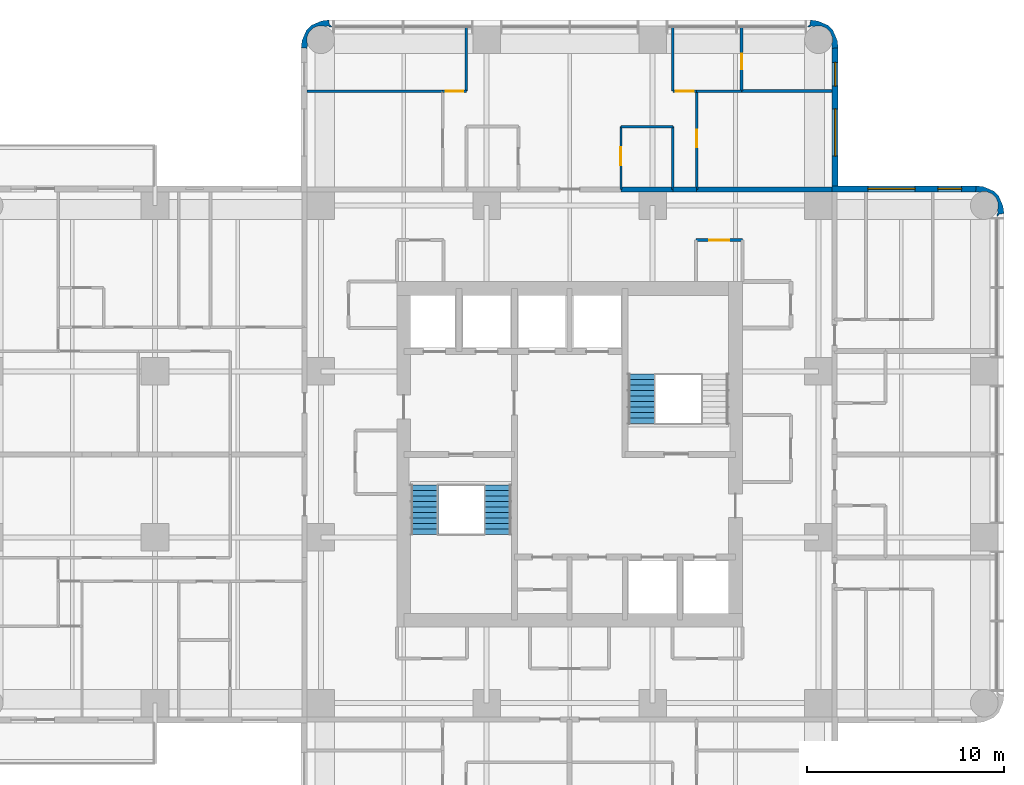
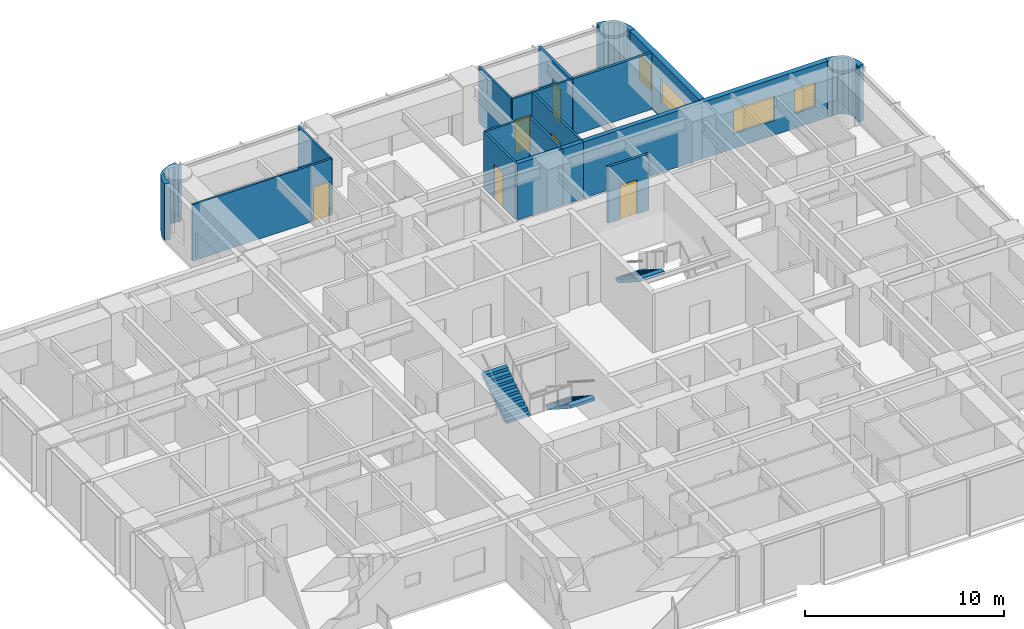
# One storey, part 10 of 12: 21 walls, 6 doors, 4 windows, 3 stair flights, 10 openings, 2 elements without a shape of their own.
"""IFC4 building model written with IfcOpenShell, lengths in metres."""

from ifc_helpers import new_model, si_unit, direction, frame, frame_2d, origin, place, context, subcontext, project, spatial, polyline, rectangle, outline, extrude, material, layer, layer_set, type_object, element, fill, aggregate, save


model = new_model("IFC4")

# Units and contexts
model_context = context("Model", 3, precision=1e-05, world=origin(), true_north=direction((0.0, 1.0)))
body_context = subcontext(model_context, "Body", "Model", "MODEL_VIEW")
ifc_project = project(units=[si_unit("LENGTHUNIT", "METRE"), si_unit("AREAUNIT", "SQUARE_METRE"), si_unit("VOLUMEUNIT", "CUBIC_METRE"), si_unit("PLANEANGLEUNIT", "RADIAN"), si_unit("MASSUNIT", "GRAM", prefix="KILO")], contexts=[model_context])

# Site, building, storey
site_placement = place(None, origin())
site = spatial("IfcSite", under=ifc_project, at=site_placement, CompositionType="ELEMENT")
building_placement = place(site_placement, origin())
building = spatial("IfcBuilding", under=site, at=building_placement, Name="Torre Alcanfor", CompositionType="ELEMENT")
storey_placement = place(building_placement, frame((0.0, 0.0, 226.5)))
storey = spatial("IfcBuildingStorey", under=building, at=storey_placement, Name="L59", CompositionType="ELEMENT", Elevation=226.5)

# Walls
ifc_material_1 = material(Name="Concrete block masonry, hollow blocks NMX-C-404 9 MPa", Category="masonry")
ifc_layer_1 = layer(ifc_material_1, 0.25)
ifc_layer_set_1 = layer_set([ifc_layer_1], Name="Apartment entrance wall 250 EI 60")
wall_type_1 = type_object("IfcWallType", Name="Apartment entrance wall 250 EI 60", PredefinedType="PARTITIONING", material=ifc_layer_set_1)
wall_1_placement = place(storey_placement, frame((32.0, 42.824951171875, 0.0), z_axis=(0.0, 0.0, 1.0), x_axis=(1.0, 0.0, 0.0)))
element("IfcWall", 1, at=wall_1_placement, inside=storey, type_object=wall_type_1, Name="Partition L59-CORR / L59-NX-KITCHEN", PredefinedType="PARTITIONING", context=body_context, shape_type="SweptSolid", body=[
    extrude(rectangle(XDim=2.62890625, YDim=0.25, at=frame_2d((1.314453125, 0.0))), origin(), (0.0, 0.0, 1.0), 3.449951171875),
])
wall_2_placement = place(storey_placement, frame((34.62890625, 42.824951171875, 0.0), z_axis=(0.0, 0.0, 1.0), x_axis=(1.0, 0.0, 0.0)))
element("IfcWall", 2, at=wall_2_placement, inside=storey, type_object=wall_type_1, Name="Partition L59-CORR / L59-NX-LIVING", PredefinedType="PARTITIONING", context=body_context, shape_type="SweptSolid", body=[
    extrude(rectangle(XDim=1.2001953125, YDim=0.25, at=frame_2d((0.60009765625, 0.0))), origin(), (0.0, 0.0, 1.0), 3.449951171875),
])
wall_3_placement = place(storey_placement, frame((35.8291015625, 42.824951171875, 0.0), z_axis=(0.0, 0.0, 1.0), x_axis=(1.0, 0.0, 0.0)))
element("IfcWall", 3, at=wall_3_placement, inside=storey, type_object=wall_type_1, Name="Partition L59-CORR / L59-NX-BED3", PredefinedType="PARTITIONING", context=body_context, shape_type="SweptSolid", body=[
    extrude(rectangle(XDim=6.870849609375, YDim=0.25, at=frame_2d((3.435546875, 0.0))), origin(), (0.0, 0.0, 1.0), 3.449951171875),
])

# Wall, opening, door
ifc_material_2 = material(Name="Gypsum board on steel studs", Category="steel")
ifc_layer_2 = layer(ifc_material_2, 0.1201171875)
ifc_layer_set_2 = layer_set([ifc_layer_2], Name="Apartment partition 120")
wall_type_2 = type_object("IfcWallType", Name="Apartment partition 120", PredefinedType="PARTITIONING", material=ifc_layer_set_2)
wall_4_placement = place(storey_placement, frame((32.0, 42.824951171875, 0.0), z_axis=(0.0, 0.0, 1.0), x_axis=(0.0, 1.0, 0.0)))
wall_4 = element("IfcWall", 4, at=wall_4_placement, inside=storey, type_object=wall_type_2, Name="Partition L59-NX-ZAG / L59-NX-KITCHEN", PredefinedType="PARTITIONING", context=body_context, shape_type="SweptSolid", body=[
    extrude(rectangle(XDim=3.175048828125, YDim=0.1201171875, at=frame_2d((1.58740234375, 0.0))), origin(), (0.0, 0.0, 1.0), 3.449951171875),
])
opening_1_placement = place(wall_4_placement, frame((1.22509765625, 0.0, 0.0)))
opening_1 = element("IfcOpeningElement", 5, at=opening_1_placement, cuts=wall_4, Name="Opening D-R1", PredefinedType="OPENING", context=body_context, shape_type="SweptSolid", body=[
    extrude(rectangle(XDim=0.89990234375, YDim=2.10009765625, at=frame_2d((0.449951171875, 1.050048828125))), frame((0.0, 0.070068359375, 0.0), z_axis=(0.0, -1.0, 0.0), x_axis=(1.0, 0.0, 0.0)), (0.0, 0.0, 1.0), 0.14013671875),
])
ifc_material_3 = material(Name="Timber", Category="wood")
door_type_1 = type_object("IfcDoorType", Name="Internal door 900x2100", OperationType="SINGLE_SWING_LEFT", PredefinedType="DOOR", material=ifc_material_3)
door_1_placement = place(opening_1_placement, frame((0.89990234375, 0.0, 0.0), z_axis=(0.0, 0.0, 1.0), x_axis=(-1.0, 0.0, 0.0)))
door_1 = element("IfcDoor", 6, at=door_1_placement, inside=storey, type_object=door_type_1, Name="Door L59-NX kitchen", OperationType="SINGLE_SWING_LEFT", OverallHeight=2.10009765625, OverallWidth=0.89990234375, PredefinedType="DOOR", context=body_context, shape_type="SweptSolid", body=[
    extrude(rectangle(XDim=0.89990234375, YDim=2.10009765625, at=frame_2d((0.449951171875, 1.050048828125))), frame((0.0, 0.025146484375, 0.0), z_axis=(0.0, -1.0, 0.0), x_axis=(1.0, 0.0, 0.0)), (0.0, 0.0, 1.0), 0.050048828125),
])
fill(opening_1, door_1)

# Walls
wall_5_placement = place(storey_placement, frame((34.62890625, 42.824951171875, 0.0), z_axis=(0.0, 0.0, 1.0), x_axis=(0.0, 1.0, 0.0)))
element("IfcWall", 7, at=wall_5_placement, inside=storey, type_object=wall_type_2, Name="Partition L59-NX-KITCHEN / L59-NX-LIVING", PredefinedType="PARTITIONING", context=body_context, shape_type="SweptSolid", body=[
    extrude(rectangle(XDim=3.175048828125, YDim=0.1201171875, at=frame_2d((1.58740234375, 0.0))), origin(), (0.0, 0.0, 1.0), 3.449951171875),
])
wall_6_placement = place(storey_placement, frame((34.62890625, 46.0, 0.0), z_axis=(0.0, 0.0, 1.0), x_axis=(-1.0, 0.0, 0.0)))
element("IfcWall", 8, at=wall_6_placement, inside=storey, type_object=wall_type_2, Name="Partition L59-NX-KITCHEN / L59-NX-LIVING", PredefinedType="PARTITIONING", context=body_context, shape_type="SweptSolid", body=[
    extrude(rectangle(XDim=2.62890625, YDim=0.1201171875, at=frame_2d((1.314453125, 0.0))), origin(), (0.0, 0.0, 1.0), 3.449951171875),
])

# Wall, opening, door
wall_7_placement = place(storey_placement, frame((22.970947265625, 47.800048828125, 0.0), z_axis=(0.0, 0.0, 1.0), x_axis=(1.0, 0.0, 0.0)))
wall_7 = element("IfcWall", 9, at=wall_7_placement, inside=storey, type_object=wall_type_2, Name="Partition L59-NX-LIVING / L59-NX-MASTER", PredefinedType="PARTITIONING", context=body_context, shape_type="SweptSolid", body=[
    extrude(rectangle(XDim=1.199951171875, YDim=0.1201171875, at=frame_2d((0.60009765625, 0.0))), origin(), (0.0, 0.0, 1.0), 3.449951171875),
])
opening_2_placement = place(wall_7_placement, frame((0.14892578125, 0.0, 0.0)))
opening_2 = element("IfcOpeningElement", 10, at=opening_2_placement, cuts=wall_7, Name="Opening D-R1", PredefinedType="OPENING", context=body_context, shape_type="SweptSolid", body=[
    extrude(rectangle(XDim=0.89990234375, YDim=2.10009765625, at=frame_2d((0.449951171875, 1.050048828125))), frame((0.0, 0.070068359375, 0.0), z_axis=(0.0, -1.0, 0.0), x_axis=(1.0, 0.0, 0.0)), (0.0, 0.0, 1.0), 0.14013671875),
])
door_2_placement = place(opening_2_placement, origin())
door_2 = element("IfcDoor", 11, at=door_2_placement, inside=storey, type_object=door_type_1, Name="Door L59-NX master", OperationType="SINGLE_SWING_RIGHT", OverallHeight=2.10009765625, OverallWidth=0.89990234375, PredefinedType="DOOR", context=body_context, shape_type="SweptSolid", body=[
    extrude(rectangle(XDim=0.89990234375, YDim=2.10009765625, at=frame_2d((0.449951171875, 1.050048828125))), frame((0.0, 0.02490234375, 0.0), z_axis=(0.0, -1.0, 0.0), x_axis=(1.0, 0.0, 0.0)), (0.0, 0.0, 1.0), 0.050048828125),
])
fill(opening_2, door_2)

# Wall
wall_8_placement = place(storey_placement, frame((24.1708984375, 47.800048828125, 0.0), z_axis=(0.0, 0.0, 1.0), x_axis=(0.0, 1.0, 0.0)))
element("IfcWall", 12, at=wall_8_placement, inside=storey, type_object=wall_type_2, Name="Partition L59-NX-LIVING / L59-NX-MASTER", PredefinedType="PARTITIONING", context=body_context, shape_type="SweptSolid", body=[
    extrude(rectangle(XDim=3.25, YDim=0.1201171875, at=frame_2d((1.625, 0.0))), origin(), (0.0, 0.0, 1.0), 3.449951171875),
])

# Wall, opening, door
wall_9_placement = place(storey_placement, frame((35.8291015625, 47.800048828125, 0.0), z_axis=(0.0, 0.0, 1.0), x_axis=(0.0, -1.0, 0.0)))
wall_9 = element("IfcWall", 13, at=wall_9_placement, inside=storey, type_object=wall_type_2, Name="Partition L59-NX-LIVING / L59-NX-BED3", PredefinedType="PARTITIONING", context=body_context, shape_type="SweptSolid", body=[
    extrude(rectangle(XDim=4.97509765625, YDim=0.1201171875, at=frame_2d((2.487548828125, 0.0))), origin(), (0.0, 0.0, 1.0), 3.449951171875),
])
opening_3_placement = place(wall_9_placement, frame((1.949951171875, 0.0, 0.0)))
opening_3 = element("IfcOpeningElement", 14, at=opening_3_placement, cuts=wall_9, Name="Opening D-R1", PredefinedType="OPENING", context=body_context, shape_type="SweptSolid", body=[
    extrude(rectangle(XDim=0.89990234375, YDim=2.10009765625, at=frame_2d((0.449951171875, 1.050048828125))), frame((0.0, 0.070068359375, 0.0), z_axis=(0.0, -1.0, 0.0), x_axis=(1.0, 0.0, 0.0)), (0.0, 0.0, 1.0), 0.14013671875),
])
door_3_placement = place(opening_3_placement, origin())
door_3 = element("IfcDoor", 15, at=door_3_placement, inside=storey, type_object=door_type_1, Name="Door L59-NX bed3", OperationType="SINGLE_SWING_LEFT", OverallHeight=2.10009765625, OverallWidth=0.89990234375, PredefinedType="DOOR", context=body_context, shape_type="SweptSolid", body=[
    extrude(rectangle(XDim=0.89990234375, YDim=2.10009765625, at=frame_2d((0.449951171875, 1.050048828125))), frame((0.0, 0.02490234375, 0.0), z_axis=(0.0, -1.0, 0.0), x_axis=(1.0, 0.0, 0.0)), (0.0, 0.0, 1.0), 0.050048828125),
])
fill(opening_3, door_3)

# Wall
wall_10_placement = place(storey_placement, frame((34.62890625, 51.050048828125, 0.0), z_axis=(0.0, 0.0, 1.0), x_axis=(0.0, -1.0, 0.0)))
element("IfcWall", 16, at=wall_10_placement, inside=storey, type_object=wall_type_2, Name="Partition L59-NX-LIVING / L59-NX-BED1", PredefinedType="PARTITIONING", context=body_context, shape_type="SweptSolid", body=[
    extrude(rectangle(XDim=3.25, YDim=0.1201171875, at=frame_2d((1.625, 0.0))), origin(), (0.0, 0.0, 1.0), 3.449951171875),
])

# Wall, opening, door
wall_11_placement = place(storey_placement, frame((34.62890625, 47.800048828125, 0.0), z_axis=(0.0, 0.0, 1.0), x_axis=(1.0, 0.0, 0.0)))
wall_11 = element("IfcWall", 17, at=wall_11_placement, inside=storey, type_object=wall_type_2, Name="Partition L59-NX-LIVING / L59-NX-BED1", PredefinedType="PARTITIONING", context=body_context, shape_type="SweptSolid", body=[
    extrude(rectangle(XDim=1.2001953125, YDim=0.1201171875, at=frame_2d((0.60009765625, 0.0))), origin(), (0.0, 0.0, 1.0), 3.449951171875),
])
opening_4_placement = place(wall_11_placement, frame((0.15087890625, 0.0, 0.0)))
opening_4 = element("IfcOpeningElement", 18, at=opening_4_placement, cuts=wall_11, Name="Opening D-R1", PredefinedType="OPENING", context=body_context, shape_type="SweptSolid", body=[
    extrude(rectangle(XDim=0.89990234375, YDim=2.10009765625, at=frame_2d((0.449951171875, 1.050048828125))), frame((0.0, 0.070068359375, 0.0), z_axis=(0.0, -1.0, 0.0), x_axis=(1.0, 0.0, 0.0)), (0.0, 0.0, 1.0), 0.14013671875),
])
door_4_placement = place(opening_4_placement, origin())
door_4 = element("IfcDoor", 19, at=door_4_placement, inside=storey, type_object=door_type_1, Name="Door L59-NX bed1", OperationType="SINGLE_SWING_LEFT", OverallHeight=2.10009765625, OverallWidth=0.89990234375, PredefinedType="DOOR", context=body_context, shape_type="SweptSolid", body=[
    extrude(rectangle(XDim=0.89990234375, YDim=2.10009765625, at=frame_2d((0.449951171875, 1.050048828125))), frame((0.0, 0.02490234375, 0.0), z_axis=(0.0, -1.0, 0.0), x_axis=(1.0, 0.0, 0.0)), (0.0, 0.0, 1.0), 0.050048828125),
])
fill(opening_4, door_4)

# Walls
wall_12_placement = place(storey_placement, frame((22.970947265625, 47.800048828125, 0.0), z_axis=(0.0, 0.0, 1.0), x_axis=(-1.0, 0.0, 0.0)))
element("IfcWall", 20, at=wall_12_placement, inside=storey, type_object=wall_type_2, Name="Partition L59-NX-BED2 / L59-NX-MASTER", PredefinedType="PARTITIONING", context=body_context, shape_type="SweptSolid", body=[
    extrude(rectangle(XDim=6.870849609375, YDim=0.1201171875, at=frame_2d((3.435546875, 0.0))), origin(), (0.0, 0.0, 1.0), 3.449951171875),
])
wall_13_placement = place(storey_placement, frame((38.114013671875, 47.800048828125, 0.0), z_axis=(0.0, 0.0, 1.0), x_axis=(-1.0, 0.0, 0.0)))
element("IfcWall", 21, at=wall_13_placement, inside=storey, type_object=wall_type_2, Name="Partition L59-NX-BED3 / L59-NX-BED1", PredefinedType="PARTITIONING", context=body_context, shape_type="SweptSolid", body=[
    extrude(rectangle(XDim=2.284912109375, YDim=0.1201171875, at=frame_2d((1.142578125, 0.0))), origin(), (0.0, 0.0, 1.0), 3.449951171875),
])

# Wall, openings, windows
ifc_material_4 = material(Name="Limestone cladding", Category="masonry")
ifc_layer_3 = layer(ifc_material_4, 0.0400390625, Name="Facing")
ifc_material_5 = material(Name="Ventilated air cavity")
ifc_layer_4 = layer(ifc_material_5, 0.02001953125, ventilated=True, Name="Ventilated joint")
ifc_material_6 = material(Name="Mineral wool insulation", Category="insulation")
ifc_layer_5 = layer(ifc_material_6, 0.10009765625, Name="Insulation")
ifc_material_7 = material(Name="Concrete f'c 35 MPa", Category="concrete")
ifc_layer_6 = layer(ifc_material_7, 0.139892578125, Name="Backing")
ifc_layer_set_3 = layer_set([ifc_layer_3, ifc_layer_4, ifc_layer_5, ifc_layer_6], Name="External wall stone-clad 300")
wall_type_3 = type_object("IfcWallType", Name="External wall stone-clad 300", PredefinedType="SOLIDWALL", material=ifc_layer_set_3)
wall_14_placement = place(storey_placement, frame((50.0, 42.85009765625, 0.0), z_axis=(0.0, 0.0, 1.0), x_axis=(-1.0, 0.0, 0.0)))
wall_14 = element("IfcWall", 22, at=wall_14_placement, inside=storey, type_object=wall_type_3, Name="External wall L59 9", PredefinedType="SOLIDWALL", context=body_context, shape_type="SweptSolid", body=[
    extrude(rectangle(XDim=7.300048828125, YDim=0.300048828125, at=frame_2d((3.64990234375, 0.0))), origin(), (0.0, 0.0, 1.0), 3.449951171875),
])
opening_5_placement = place(wall_14_placement, frame((3.10009765625, 0.0, 0.89990234375)))
opening_5 = element("IfcOpeningElement", 23, at=opening_5_placement, cuts=wall_14, Name="Opening W1", PredefinedType="OPENING", context=body_context, shape_type="SweptSolid", body=[
    extrude(rectangle(XDim=2.39990234375, YDim=1.5, at=frame_2d((1.199951171875, 0.75))), frame((0.0, 0.159912109375, 0.0), z_axis=(0.0, -1.0, 0.0), x_axis=(1.0, 0.0, 0.0)), (0.0, 0.0, 1.0), 0.320068359375),
])
opening_6_placement = place(wall_14_placement, frame((0.75, 0.0, 0.89990234375)))
opening_6 = element("IfcOpeningElement", 24, at=opening_6_placement, cuts=wall_14, Name="Opening W4", PredefinedType="OPENING", context=body_context, shape_type="SweptSolid", body=[
    extrude(rectangle(XDim=1.199951171875, YDim=1.5, at=frame_2d((0.60009765625, 0.75))), frame((0.0, 0.159912109375, 0.0), z_axis=(0.0, -1.0, 0.0), x_axis=(1.0, 0.0, 0.0)), (0.0, 0.0, 1.0), 0.320068359375),
])
ifc_material_8 = material(Name="Aluminium frame with clear double glazing", Category="aluminium")
window_type_1 = type_object("IfcWindowType", Name="Window bedroom 1200x1500", PartitioningType="SINGLE_PANEL", PredefinedType="WINDOW", material=ifc_material_8)
window_1_placement = place(opening_6_placement, origin())
window_1 = element("IfcWindow", 25, at=window_1_placement, inside=storey, type_object=window_type_1, Name="Window W4 L59-E1", OverallHeight=1.5, OverallWidth=1.199951171875, PartitioningType="SINGLE_PANEL", PredefinedType="WINDOW", context=body_context, shape_type="SweptSolid", body=[
    extrude(rectangle(XDim=1.199951171875, YDim=1.5, at=frame_2d((0.60009765625, 0.75))), frame((0.0, 0.030029296875, 0.0), z_axis=(0.0, -1.0, 0.0), x_axis=(1.0, 0.0, 0.0)), (0.0, 0.0, 1.0), 0.06005859375),
])
fill(opening_6, window_1)
ifc_material_9 = material(Name="Aluminium frame with clear double glazing", Category="aluminium")
window_type_2 = type_object("IfcWindowType", Name="Window bedroom 2400x1500", PartitioningType="SINGLE_PANEL", PredefinedType="WINDOW", material=ifc_material_9)
window_2_placement = place(opening_5_placement, origin())
window_2 = element("IfcWindow", 26, at=window_2_placement, inside=storey, type_object=window_type_2, Name="Window W1 L59-E1", OverallHeight=1.5, OverallWidth=2.39990234375, PartitioningType="SINGLE_PANEL", PredefinedType="WINDOW", context=body_context, shape_type="SweptSolid", body=[
    extrude(rectangle(XDim=2.39990234375, YDim=1.5, at=frame_2d((1.199951171875, 0.75))), frame((0.0, 0.030029296875, 0.0), z_axis=(0.0, -1.0, 0.0), x_axis=(1.0, 0.0, 0.0)), (0.0, 0.0, 1.0), 0.06005859375),
])
fill(opening_5, window_2)

wall_15_placement = place(storey_placement, frame((42.85009765625, 43.0, 0.0), z_axis=(0.0, 0.0, 1.0), x_axis=(0.0, 1.0, 0.0)))
wall_15 = element("IfcWall", 27, at=wall_15_placement, inside=storey, type_object=wall_type_3, Name="External wall L59 10", PredefinedType="SOLIDWALL", context=body_context, shape_type="SweptSolid", body=[
    extrude(rectangle(XDim=7.0, YDim=0.300048828125, at=frame_2d((3.5, 0.0))), origin(), (0.0, 0.0, 1.0), 3.449951171875),
])
opening_7_placement = place(wall_15_placement, frame((1.5, 0.0, 0.89990234375)))
opening_7 = element("IfcOpeningElement", 28, at=opening_7_placement, cuts=wall_15, Name="Opening W1", PredefinedType="OPENING", context=body_context, shape_type="SweptSolid", body=[
    extrude(rectangle(XDim=2.39990234375, YDim=1.5, at=frame_2d((1.199951171875, 0.75))), frame((0.0, 0.159912109375, 0.0), z_axis=(0.0, -1.0, 0.0), x_axis=(1.0, 0.0, 0.0)), (0.0, 0.0, 1.0), 0.320068359375),
])
opening_8_placement = place(wall_15_placement, frame((5.050048828125, 0.0, 0.89990234375)))
opening_8 = element("IfcOpeningElement", 29, at=opening_8_placement, cuts=wall_15, Name="Opening W4", PredefinedType="OPENING", context=body_context, shape_type="SweptSolid", body=[
    extrude(rectangle(XDim=1.199951171875, YDim=1.5, at=frame_2d((0.60009765625, 0.75))), frame((0.0, 0.159912109375, 0.0), z_axis=(0.0, -1.0, 0.0), x_axis=(1.0, 0.0, 0.0)), (0.0, 0.0, 1.0), 0.320068359375),
])
window_3_placement = place(opening_8_placement, origin())
window_3 = element("IfcWindow", 30, at=window_3_placement, inside=storey, type_object=window_type_1, Name="Window W4 L59-N2", OverallHeight=1.5, OverallWidth=1.199951171875, PartitioningType="SINGLE_PANEL", PredefinedType="WINDOW", context=body_context, shape_type="SweptSolid", body=[
    extrude(rectangle(XDim=1.199951171875, YDim=1.5, at=frame_2d((0.60009765625, 0.75))), frame((0.0, 0.030029296875, 0.0), z_axis=(0.0, -1.0, 0.0), x_axis=(1.0, 0.0, 0.0)), (0.0, 0.0, 1.0), 0.06005859375),
])
fill(opening_8, window_3)
window_4_placement = place(opening_7_placement, origin())
window_4 = element("IfcWindow", 31, at=window_4_placement, inside=storey, type_object=window_type_2, Name="Window W1 L59-N2", OverallHeight=1.5, OverallWidth=2.39990234375, PartitioningType="SINGLE_PANEL", PredefinedType="WINDOW", context=body_context, shape_type="SweptSolid", body=[
    extrude(rectangle(XDim=2.39990234375, YDim=1.5, at=frame_2d((1.199951171875, 0.75))), frame((0.0, 0.030029296875, 0.0), z_axis=(0.0, -1.0, 0.0), x_axis=(1.0, 0.0, 0.0)), (0.0, 0.0, 1.0), 0.06005859375),
])
fill(opening_7, window_4)

# Wall, opening, door
ifc_material_10 = material(Name="Concrete block masonry, hollow blocks NMX-C-404 9 MPa", Category="masonry")
ifc_layer_7 = layer(ifc_material_10, 0.14990234375)
ifc_layer_set_4 = layer_set([ifc_layer_7], Name="Residents' room partition 150")
wall_type_4 = type_object("IfcWallType", Name="Residents' room partition 150", PredefinedType="PARTITIONING", material=ifc_layer_set_4)
wall_16_placement = place(storey_placement, frame((38.14990234375, 40.25, 0.0), z_axis=(0.0, 0.0, 1.0), x_axis=(-1.0, 0.0, 0.0)))
wall_16 = element("IfcWall", 32, at=wall_16_placement, inside=storey, type_object=wall_type_4, Name="Partition L59-CORR / L59-G02", PredefinedType="PARTITIONING", context=body_context, shape_type="SweptSolid", body=[
    extrude(rectangle(XDim=2.349853515625, YDim=0.14990234375, at=frame_2d((1.1748046875, 0.0))), origin(), (0.0, 0.0, 1.0), 3.449951171875),
])
opening_9_placement = place(wall_16_placement, frame((0.675048828125, 0.0, 0.0)))
opening_9 = element("IfcOpeningElement", 33, at=opening_9_placement, cuts=wall_16, Name="Opening D-M1", PredefinedType="OPENING", context=body_context, shape_type="SweptSolid", body=[
    extrude(rectangle(XDim=1.0, YDim=2.10009765625, at=frame_2d((0.5, 1.050048828125))), frame((0.0, 0.0849609375, 0.0), z_axis=(0.0, -1.0, 0.0), x_axis=(1.0, 0.0, 0.0)), (0.0, 0.0, 1.0), 0.169921875),
])
ifc_material_11 = material(Name="Timber", Category="wood")
door_type_2 = type_object("IfcDoorType", Name="Residents' room door 1000x2100", OperationType="SINGLE_SWING_LEFT", PredefinedType="DOOR", material=ifc_material_11)
door_5_placement = place(opening_9_placement, origin())
door_5 = element("IfcDoor", 34, at=door_5_placement, inside=storey, type_object=door_type_2, Name="Door L59-G02 cleaners' store", OperationType="SINGLE_SWING_LEFT", OverallHeight=2.10009765625, OverallWidth=1.0, PredefinedType="DOOR", context=body_context, shape_type="SweptSolid", body=[
    extrude(rectangle(XDim=1.0, YDim=2.10009765625, at=frame_2d((0.5, 1.050048828125))), frame((0.0, 0.02490234375, 0.0), z_axis=(0.0, -1.0, 0.0), x_axis=(1.0, 0.0, 0.0)), (0.0, 0.0, 1.0), 0.050048828125),
])
fill(opening_9, door_5)

# Walls
ifc_layer_8 = layer(ifc_material_4, 0.0400390625, Name="Facing")
ifc_layer_9 = layer(ifc_material_5, 0.02001953125, ventilated=True, Name="Ventilated joint")
ifc_layer_10 = layer(ifc_material_6, 0.10009765625, Name="Insulation")
ifc_layer_11 = layer(ifc_material_7, 0.139892578125, Name="Backing")
ifc_layer_set_5 = layer_set([ifc_layer_8, ifc_layer_9, ifc_layer_10, ifc_layer_11], Name="Rounded corner pier stone-clad 300")
wall_type_5 = type_object("IfcWallType", Name="Rounded corner pier stone-clad 300", PredefinedType="SOLIDWALL", material=ifc_layer_set_5)
wall_17_placement = place(storey_placement, frame((50.98815184, 41.487674505, 0.0), z_axis=(0.0, 0.0, 1.0), x_axis=(0.898030234854, 0.439933741929, 0.0)))
element("IfcWall", 35, at=wall_17_placement, inside=storey, type_object=wall_type_5, Name="Corner pier L59 18", PredefinedType="SOLIDWALL", context=body_context, shape_type="SweptSolid", body=[
    extrude(outline(polyline([(0.13762845900144902, -0.0395605783475044), (0.18185793649134802, -0.00033087416050568697), (0.41922313919285215, -0.08018355093564442), (0.535860291835806, 0.2661211239178742), (0.5587746083679793, 0.6308813409414961), (0.5545700157158291, 0.6511558966825934), (0.5663920082639611, 0.8356681075750403), (0.45545119814889223, 1.159160361177863), (0.33312688681130387, 1.297925592490813), (0.32402252373636403, 1.3165225487705126), (0.08234923743790223, 1.5906923948786469), (-0.22206721491752535, 1.7928353560160377), (-0.38958661601048106, 1.540782159618673), (-0.3718277173231749, 1.5320822980229156), (-0.19464371431186422, 1.4142897687749243), (-0.11970407362674929, 1.4096575385515544), (0.13067447329798665, 1.2870002306212465), (0.31526160288378063, 1.0777694581339308), (0.4057356995697948, 0.8140544036891404), (0.38812563637514036, 0.5355946934281371), (0.26546832844483254, 0.28521614650340116), (0.2089867161004748, 0.23540500505176065), (0.14757776297591008, 0.05289210976982966), (0.10504410439149783, 0.07372881532016215), (0.03190082356790798, -0.07557748105089318), (0.13762845900144902, -0.0395605783475044)])), origin(), (0.0, 0.0, 1.0), 3.449951171875),
])
wall_18_placement = place(storey_placement, frame((42.724211819, 50.110315272, 0.0), z_axis=(0.0, 0.0, 1.0), x_axis=(0.439933741929, 0.898030234854, 0.0)))
element("IfcWall", 36, at=wall_18_placement, inside=storey, type_object=wall_type_5, Name="Corner pier L59 19", PredefinedType="SOLIDWALL", context=body_context, shape_type="SweptSolid", body=[
    extrude(outline(polyline([(-0.14525732426811072, -0.04414433895897353), (0.0222620768248451, -0.29619753535633836), (0.3266785291802725, -0.09405457421894756), (0.5683518154787345, 0.1801152718891868), (0.5774561785536743, 0.19871222816888634), (0.6997804898912626, 0.33747745948183633), (0.8107213000063315, 0.6609697130846591), (0.7988993074581994, 0.8454819239771059), (0.8031039001103497, 0.8657564797182034), (0.7801895835781762, 1.2305166967418253), (0.6635524309352225, 1.5768213715953436), (0.42618722823371835, 1.496968694820205), (0.38195775074381944, 1.5361983990072037), (0.2762301153102783, 1.5722153017105926), (0.3493733961338682, 1.4229090053395372), (0.39190705471828047, 1.4437457108898697), (0.45331600784284515, 1.2612328156079387), (0.5097976201872029, 1.2114216741562982), (0.6324549281175107, 0.9610431272315622), (0.6500649913121652, 0.6825834169705589), (0.559590894626151, 0.4188683625257686), (0.37500376504035704, 0.20963759003845278), (0.1246252181156211, 0.08698028210814499), (0.04968557743050611, 0.08234805188477495), (-0.12749842558080457, -0.035444477363216154), (-0.14525732426811072, -0.04414433895897353)])), origin(), (0.0, 0.0, 1.0), 3.449951171875),
])
wall_19_placement = place(storey_placement, frame((17.312325495, 50.98815184, 0.0), z_axis=(0.0, 0.0, 1.0), x_axis=(-0.439933741929, 0.898030234854, 0.0)))
element("IfcWall", 37, at=wall_19_placement, inside=storey, type_object=wall_type_5, Name="Corner pier L59 20", PredefinedType="SOLIDWALL", context=body_context, shape_type="SweptSolid", body=[
    extrude(outline(polyline([(0.1377143835604198, -0.039385181817258766), (0.1818364553516057, -0.0003747232930663008), (0.4192016580531099, -0.08022740006820503), (0.5358388106960636, 0.26607727478531357), (0.5587531272282371, 0.6308374918089354), (0.5545485345760868, 0.6511120475500328), (0.5663705271242188, 0.8356242584424797), (0.45553712270786306, 1.1593357577081085), (0.33310540567156155, 1.2978817433582523), (0.3240010425966217, 1.316478699637952), (0.08232775629815992, 1.5906485457460864), (-0.22208869605726766, 1.7927915068834772), (-0.3896080971502234, 1.5407383104861123), (-0.3718491984629172, 1.532038448890355), (-0.1945577897528935, 1.41446516530517), (-0.1197255547664915, 1.4096136894189937), (0.13065299215824444, 1.286956381488686), (0.3152401217440383, 1.07772560900137), (0.4057142184300525, 0.8140105545565798), (0.3881041552353981, 0.5355508442955765), (0.26544684730509027, 0.28517229737084054), (0.20907264065944553, 0.23558040158200633), (0.14755628183616776, 0.052848260637269044), (0.10502262325175554, 0.07368496618760154), (0.031879342428165675, -0.0756213301834538), (0.1377143835604198, -0.039385181817258766)])), origin(), (0.0, 0.0, 1.0), 3.449951171875),
])
ifc_material_12 = material(Name="Cement board on steel studs", Category="steel")
ifc_layer_12 = layer(ifc_material_12, 0.14990234375)
ifc_layer_set_6 = layer_set([ifc_layer_12], Name="Wet area partition 150")
wall_type_6 = type_object("IfcWallType", Name="Wet area partition 150", PredefinedType="PARTITIONING", material=ifc_layer_set_6)
wall_20_placement = place(storey_placement, frame((42.699951171875, 47.800048828125, 0.0), z_axis=(0.0, 0.0, 1.0), x_axis=(-1.0, 0.0, 0.0)))
element("IfcWall", 38, at=wall_20_placement, inside=storey, type_object=wall_type_6, Name="Partition L59-NX-BED3 / L59-NX-BATH1", PredefinedType="PARTITIONING", context=body_context, shape_type="SweptSolid", body=[
    extrude(rectangle(XDim=4.5859375, YDim=0.14990234375, at=frame_2d((2.29296875, 0.0))), origin(), (0.0, 0.0, 1.0), 3.449951171875),
])

# Wall, opening, door
wall_21_placement = place(storey_placement, frame((38.114013671875, 51.050048828125, 0.0), z_axis=(0.0, 0.0, 1.0), x_axis=(0.0, -1.0, 0.0)))
wall_21 = element("IfcWall", 39, at=wall_21_placement, inside=storey, type_object=wall_type_6, Name="Partition L59-NX-BATH1 / L59-NX-BED1", PredefinedType="PARTITIONING", context=body_context, shape_type="SweptSolid", body=[
    extrude(rectangle(XDim=3.25, YDim=0.14990234375, at=frame_2d((1.625, 0.0))), origin(), (0.0, 0.0, 1.0), 3.449951171875),
])
opening_10_placement = place(wall_21_placement, frame((1.35009765625, 0.0, 0.0)))
opening_10 = element("IfcOpeningElement", 40, at=opening_10_placement, cuts=wall_21, Name="Opening D-R2", PredefinedType="OPENING", context=body_context, shape_type="SweptSolid", body=[
    extrude(rectangle(XDim=0.800048828125, YDim=2.10009765625, at=frame_2d((0.39990234375, 1.050048828125))), frame((0.0, 0.0849609375, 0.0), z_axis=(0.0, -1.0, 0.0), x_axis=(1.0, 0.0, 0.0)), (0.0, 0.0, 1.0), 0.169921875),
])
ifc_material_13 = material(Name="Timber", Category="wood")
door_type_3 = type_object("IfcDoorType", Name="Bathroom door 800x2100", OperationType="SINGLE_SWING_LEFT", PredefinedType="DOOR", material=ifc_material_13)
door_6_placement = place(opening_10_placement, frame((0.800048828125, 0.0, 0.0), z_axis=(0.0, 0.0, 1.0), x_axis=(-1.0, 0.0, 0.0)))
door_6 = element("IfcDoor", 41, at=door_6_placement, inside=storey, type_object=door_type_3, Name="Door L59-NX bath1", OperationType="SINGLE_SWING_LEFT", OverallHeight=2.10009765625, OverallWidth=0.800048828125, PredefinedType="DOOR", context=body_context, shape_type="SweptSolid", body=[
    extrude(rectangle(XDim=0.800048828125, YDim=2.10009765625, at=frame_2d((0.400146484375, 1.050048828125))), frame((0.0, 0.025146484375, 0.0), z_axis=(0.0, -1.0, 0.0), x_axis=(1.0, 0.0, 0.0)), (0.0, 0.0, 1.0), 0.050048828125),
])
fill(opening_10, door_6)

# Stair, stair flights
ifc_material_14 = material(Name="Concrete f'c 35 MPa", Category="concrete")
stair_type_1 = type_object("IfcStairType", Name="Exit stair S1 1400 wide", PredefinedType="HALF_TURN_STAIR", material=ifc_material_14)
stair_1_placement = place(storey_placement, origin())
stair_1 = element("IfcStair", 42, at=stair_1_placement, inside=storey, type_object=stair_type_1, Name="Stair S1 L59 to L60", PredefinedType="HALF_TURN_STAIR")
ifc_material_15 = material(Name="Concrete f'c 35 MPa", Category="concrete")
stair_flight_type = type_object("IfcStairFlightType", Name="Stair flight 1400", PredefinedType="STRAIGHT", material=ifc_material_15)
stair_flight_1_placement = place(storey_placement, frame((25.75, 27.85009765625, 0.0), z_axis=(0.0, 0.0, 1.0), x_axis=(0.0, -1.0, 0.0)))
stair_flight_1 = element("IfcStairFlight", 43, at=stair_flight_1_placement, type_object=stair_flight_type, Name="S1 flight 1", NumberOfRisers=10, NumberOfTreads=9, PredefinedType="STRAIGHT", RiserHeight=0.18, TreadLength=0.28, context=body_context, shape_type="SweptSolid", body=[
    extrude(outline(polyline([(0.0, 0.0), (0.0, 0.179931640625), (0.280029296875, 0.179931640625), (0.280029296875, 0.360107421875), (0.56005859375, 0.360107421875), (0.56005859375, 0.5400390625), (0.840087890625, 0.5400390625), (0.840087890625, 0.719970703125), (1.1201171875, 0.719970703125), (1.1201171875, 0.89990234375), (1.39990234375, 0.89990234375), (1.39990234375, 1.080078125), (1.679931640625, 1.080078125), (1.679931640625, 1.260009765625), (1.9599609375, 1.260009765625), (1.9599609375, 1.43994140625), (2.239990234375, 1.43994140625), (2.239990234375, 1.6201171875), (2.52001953125, 1.6201171875), (2.52001953125, 1.800048828125), (2.52001953125, 1.44189453125), (0.277099609375, 0.0), (0.0, 0.0)])), frame((0.0, 0.699951171875, 0.0), z_axis=(0.0, -1.0, 0.0), x_axis=(1.0, 0.0, 0.0)), (0.0, 0.0, 1.0), 1.39990234375),
])
stair_flight_2_placement = place(storey_placement, frame((22.050048828125, 25.330078125, 1.800048828125), z_axis=(0.0, 0.0, 1.0), x_axis=(0.0, 1.0, 0.0)))
stair_flight_2 = element("IfcStairFlight", 44, at=stair_flight_2_placement, type_object=stair_flight_type, Name="S1 flight 2", NumberOfRisers=10, NumberOfTreads=9, PredefinedType="STRAIGHT", RiserHeight=0.18, TreadLength=0.28, context=body_context, shape_type="SweptSolid", body=[
    extrude(outline(polyline([(0.0, 0.0), (0.0, 0.179931640625), (0.280029296875, 0.179931640625), (0.280029296875, 0.360107421875), (0.56005859375, 0.360107421875), (0.56005859375, 0.5400390625), (0.840087890625, 0.5400390625), (0.840087890625, 0.719970703125), (1.1201171875, 0.719970703125), (1.1201171875, 0.89990234375), (1.39990234375, 0.89990234375), (1.39990234375, 1.080078125), (1.679931640625, 1.080078125), (1.679931640625, 1.260009765625), (1.9599609375, 1.260009765625), (1.9599609375, 1.43994140625), (2.239990234375, 1.43994140625), (2.239990234375, 1.6201171875), (2.52001953125, 1.6201171875), (2.52001953125, 1.800048828125), (2.52001953125, 1.44189453125), (0.277099609375, 0.0), (0.0, 0.0)])), frame((0.0, 0.699951171875, 0.0), z_axis=(0.0, -1.0, 0.0), x_axis=(1.0, 0.0, 0.0)), (0.0, 0.0, 1.0), 1.39990234375),
])
aggregate(stair_1, [stair_flight_1, stair_flight_2])

# Stair, stair flight
ifc_material_16 = material(Name="Concrete f'c 35 MPa", Category="concrete")
stair_type_2 = type_object("IfcStairType", Name="Exit stair S2 1400 wide", PredefinedType="HALF_TURN_STAIR", material=ifc_material_16)
stair_2_placement = place(storey_placement, origin())
stair_2 = element("IfcStair", 45, at=stair_2_placement, inside=storey, type_object=stair_type_2, Name="Stair S2 L59 to L60", PredefinedType="HALF_TURN_STAIR")
stair_flight_3_placement = place(storey_placement, frame((33.050048828125, 33.469970703125, 1.800048828125), z_axis=(0.0, 0.0, 1.0), x_axis=(0.0, -1.0, 0.0)))
stair_flight_3 = element("IfcStairFlight", 46, at=stair_flight_3_placement, type_object=stair_flight_type, Name="S2 flight 2", NumberOfRisers=10, NumberOfTreads=9, PredefinedType="STRAIGHT", RiserHeight=0.18, TreadLength=0.28, context=body_context, shape_type="SweptSolid", body=[
    extrude(outline(polyline([(0.0, 0.0), (0.0, 0.179931640625), (0.280029296875, 0.179931640625), (0.280029296875, 0.360107421875), (0.56005859375, 0.360107421875), (0.56005859375, 0.5400390625), (0.840087890625, 0.5400390625), (0.840087890625, 0.719970703125), (1.1201171875, 0.719970703125), (1.1201171875, 0.89990234375), (1.39990234375, 0.89990234375), (1.39990234375, 1.080078125), (1.679931640625, 1.080078125), (1.679931640625, 1.260009765625), (1.9599609375, 1.260009765625), (1.9599609375, 1.43994140625), (2.239990234375, 1.43994140625), (2.239990234375, 1.6201171875), (2.52001953125, 1.6201171875), (2.52001953125, 1.800048828125), (2.52001953125, 1.44189453125), (0.277099609375, 0.0), (0.0, 0.0)])), frame((0.0, 0.699951171875, 0.0), z_axis=(0.0, -1.0, 0.0), x_axis=(1.0, 0.0, 0.0)), (0.0, 0.0, 1.0), 1.39990234375),
])
aggregate(stair_2, [stair_flight_3])

save(model, "model.ifc")
